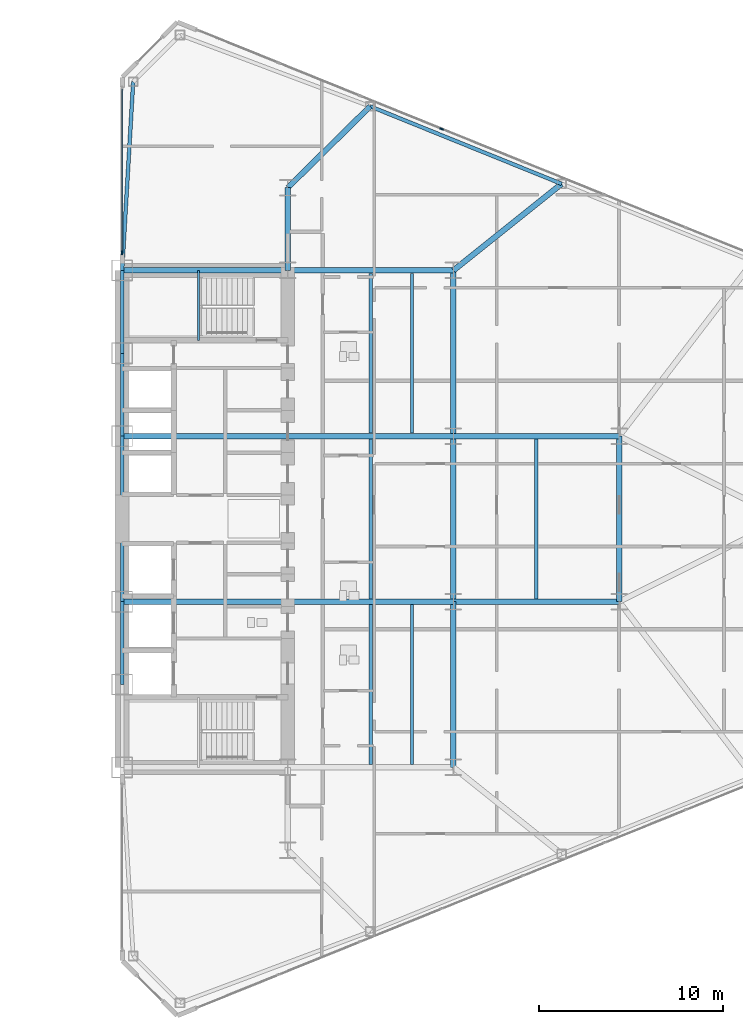
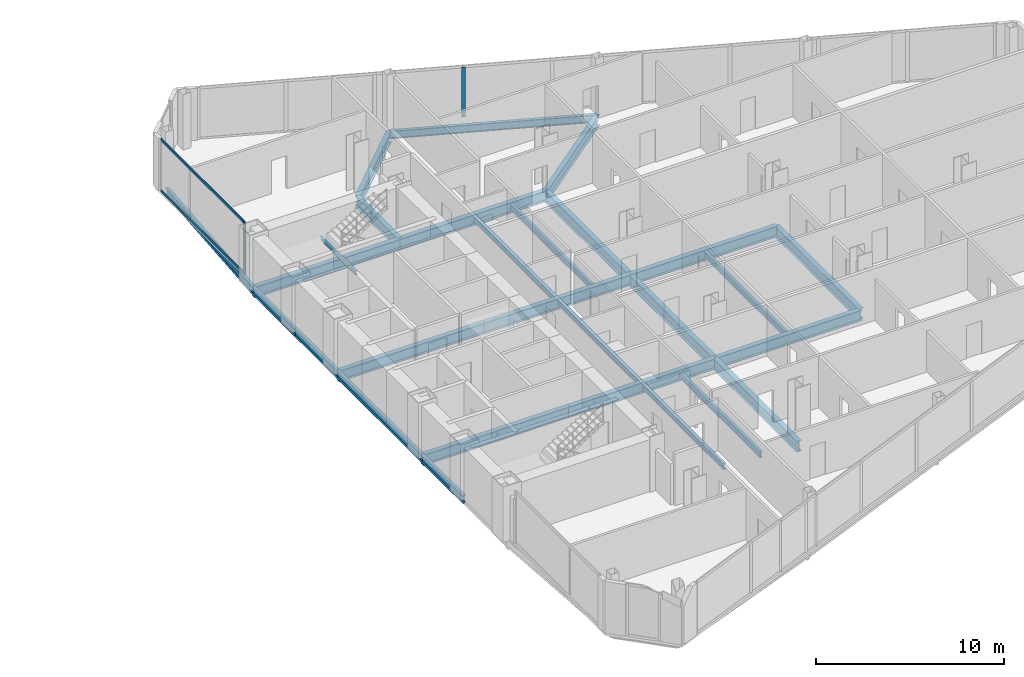
# One storey, part 11 of 25: 28 beams, 4 members, 2 elements without a shape of their own.
"""IFC4 building model written with IfcOpenShell, lengths in metres."""

from ifc_helpers import new_model, si_unit, direction, frame, origin, origin_2d, place, context, subcontext, project, spatial, rectangle, i_section, extrude, source, transform, mapped, material, layer, layer_set, material_profile, profile_set, type_object, type_shapes, element, aggregate, save


model = new_model("IFC4")

# Units and contexts
model_context = context("Model", 3, precision=1e-05, world=origin(), true_north=direction((0.0, 1.0)))
body_context = subcontext(model_context, "Body", "Model", "MODEL_VIEW")
ifc_project = project(units=[si_unit("LENGTHUNIT", "METRE"), si_unit("AREAUNIT", "SQUARE_METRE"), si_unit("VOLUMEUNIT", "CUBIC_METRE"), si_unit("PLANEANGLEUNIT", "RADIAN"), si_unit("MASSUNIT", "GRAM", prefix="KILO")], contexts=[model_context])

# Site, building, storey
site_placement = place(None, origin())
site = spatial("IfcSite", under=ifc_project, at=site_placement, CompositionType="ELEMENT")
building_placement = place(site_placement, origin())
building = spatial("IfcBuilding", under=site, at=building_placement, Name="Seokmaru Belvedere", CompositionType="ELEMENT")
storey_placement = place(building_placement, frame((0.0, 0.0, 33.300048828125)))
storey = spatial("IfcBuildingStorey", under=building, at=storey_placement, Name="L08", CompositionType="ELEMENT", Elevation=33.300048828125)

# Beams
ifc_material_1 = material(Name="Steel SM355 (355 MPa)", Category="steel")
ifc_material_profile_1 = material_profile(ifc_material_1, i_section(OverallWidth=0.199951171875, OverallDepth=0.5, WebThickness=0.010009765625, FlangeThickness=0.01611328125, at=origin_2d()), Name="H-500x200x10x16")
ifc_profile_set_1 = profile_set([ifc_material_profile_1], Name="Steel SM355 (355 MPa)")
beam_type_1 = type_object("IfcBeamType", Name="Perimeter Spandrel Beam H-500", PredefinedType="SPANDREL", material=ifc_profile_set_1)
shared_shape_1 = source(origin(), body_context, "Body", "SweptSolid", [
    extrude(i_section(OverallWidth=0.199951171875, OverallDepth=0.5, WebThickness=0.010009765625, FlangeThickness=0.01611328125, at=origin_2d()), origin(), (0.0, 0.0, 1.0), 4.5),
])
for number, where, z_axis, x_axis, name in (
    (1, (27.5, -9.0, -0.469970703125), (0.0, 1.0, 0.0), (-1.0, 0.0, 0.0), "L08 E Portal Spine Spandrel 2"),
    (2, (27.5, 4.5, -0.469970703125), (0.0, 1.0, 0.0), (-1.0, 0.0, 0.0), "L08 E Portal Spine Spandrel 4"),
    (3, (27.5, 9.0, -0.469970703125), (0.0, 1.0, 0.0), (-1.0, 0.0, 0.0), "L08 E Portal Spine Spandrel 5"),
):
    element("IfcBeam", number, at=place(storey_placement, frame(where, z_axis=z_axis, x_axis=x_axis)), inside=storey, type_object=beam_type_1, Name=name, PredefinedType="SPANDREL", context=body_context, shape_type="MappedRepresentation", body=[
        mapped(shared_shape_1, transform((0.0, 0.0, 0.0), scale=1.0)),
    ])
shared_shape_2 = source(origin(), body_context, "Body", "SweptSolid", [
    extrude(i_section(OverallWidth=0.199951171875, OverallDepth=0.5, WebThickness=0.010009765625, FlangeThickness=0.01611328125, at=origin_2d()), origin(), (0.0, 0.0, 1.0), 9.0),
])
beam_1_placement = place(storey_placement, frame((27.5, -4.5, -0.469970703125), z_axis=(0.0, 1.0, 0.0), x_axis=(-1.0, 0.0, 0.0)))
element("IfcBeam", 4, at=beam_1_placement, inside=storey, type_object=beam_type_1, Name="L08 E Portal Spine Spandrel 3", PredefinedType="SPANDREL", context=body_context, shape_type="MappedRepresentation", body=[
    mapped(shared_shape_2, transform((0.0, 0.0, 0.0), scale=1.0)),
])
ifc_material_profile_2 = material_profile(ifc_material_1, i_section(OverallWidth=0.300048828125, OverallDepth=0.699951171875, WebThickness=0.012939453125, FlangeThickness=0.02392578125, at=origin_2d()), Name="H-700x300x13x24")
ifc_profile_set_2 = profile_set([ifc_material_profile_2], Name="Steel SM355 (355 MPa)")
beam_type_2 = type_object("IfcBeamType", Name="Primary Floor Girder H-700", PredefinedType="BEAM", material=ifc_profile_set_2)
shared_shape_3 = source(origin(), body_context, "Body", "SweptSolid", [
    extrude(i_section(OverallWidth=0.300048828125, OverallDepth=0.699951171875, WebThickness=0.012939453125, FlangeThickness=0.02392578125, at=origin_2d()), origin(), (0.0, 0.0, 1.0), 4.5),
])
beam_2_placement = place(storey_placement, frame((36.5, 13.5, -0.570068359375), z_axis=(0.0, 1.0, 0.0), x_axis=(-1.0, 0.0, 0.0)))
element("IfcBeam", 5, at=beam_2_placement, inside=storey, type_object=beam_type_2, Name="L08 E Core Shoulder Girder N", PredefinedType="BEAM", context=body_context, shape_type="MappedRepresentation", body=[
    mapped(shared_shape_3, transform((0.0, 0.0, 0.0), scale=1.0)),
])
shared_shape_4 = source(origin(), body_context, "Body", "SweptSolid", [
    extrude(i_section(OverallWidth=0.300048828125, OverallDepth=0.699951171875, WebThickness=0.012939453125, FlangeThickness=0.02392578125, at=origin_2d()), origin(), (0.0, 0.0, 1.0), 9.0),
])
for number, where, z_axis, x_axis, name in (
    (6, (45.5, -13.5, -0.570068359375), (0.0, 1.0, 0.0), (-1.0, 0.0, 0.0), "L08 E Interior Grid Girder 1"),
    (7, (45.5, -4.5, -0.570068359375), (0.0, 1.0, 0.0), (-1.0, 0.0, 0.0), "L08 E Interior Grid Girder 2"),
    (8, (45.5, 4.5, -0.570068359375), (0.0, 1.0, 0.0), (-1.0, 0.0, 0.0), "L08 E Interior Grid Girder 3"),
    (9, (27.5, -4.5, -0.570068359375), (1.0, 0.0, 0.0), (0.0, 1.0, 0.0), "L08 E Core Tie Girder 2"),
    (10, (36.5, -4.5, -0.570068359375), (1.0, 0.0, 0.0), (0.0, 1.0, 0.0), "L08 E Wing Primary Girder 2"),
    (11, (27.5, 4.5, -0.570068359375), (1.0, 0.0, 0.0), (0.0, 1.0, 0.0), "L08 E Core Tie Girder 3"),
    (12, (36.5, 4.5, -0.570068359375), (1.0, 0.0, 0.0), (0.0, 1.0, 0.0), "L08 E Wing Primary Girder 3"),
    (13, (27.5, 13.5, -0.570068359375), (1.0, 0.0, 0.0), (0.0, 1.0, 0.0), "L08 E Core Tie Girder 4"),
    (14, (36.5, 13.5, -0.570068359375), (1.0, 0.0, 0.0), (0.0, 1.0, 0.0), "L08 E Wing Primary Girder 4"),
    (15, (45.5, -4.5, -0.570068359375), (1.0, 0.0, 0.0), (0.0, 1.0, 0.0), "L08 E Outer Wing Girder 1"),
    (16, (45.5, 4.5, -0.570068359375), (1.0, 0.0, 0.0), (0.0, 1.0, 0.0), "L08 E Outer Wing Girder 2"),
    (17, (54.5, -4.5, -0.570068359375), (0.0, 1.0, 0.0), (-1.0, 0.0, 0.0), "L08 E Apex Frame Girder"),
):
    element("IfcBeam", number, at=place(storey_placement, frame(where, z_axis=z_axis, x_axis=x_axis)), inside=storey, type_object=beam_type_2, Name=name, PredefinedType="BEAM", context=body_context, shape_type="MappedRepresentation", body=[
        mapped(shared_shape_4, transform((0.0, 0.0, 0.0), scale=1.0)),
    ])
ifc_material_profile_3 = material_profile(ifc_material_1, i_section(OverallWidth=0.18505859375, OverallDepth=0.389892578125, WebThickness=0.008056640625, FlangeThickness=0.011962890625, at=origin_2d()), Name="H-390x185x8x12")
ifc_profile_set_3 = profile_set([ifc_material_profile_3], Name="Steel SM355 (355 MPa)")
beam_type_3 = type_object("IfcBeamType", Name="Secondary Floor Joist H-350", PredefinedType="JOIST", material=ifc_profile_set_3)
shared_shape_5 = source(origin(), body_context, "Body", "SweptSolid", [
    extrude(i_section(OverallWidth=0.18505859375, OverallDepth=0.389892578125, WebThickness=0.008056640625, FlangeThickness=0.011962890625, at=origin_2d()), origin(), (0.0, 0.0, 1.0), 8.68994140625),
])
type_shapes(beam_type_3, [shared_shape_5])
for number, where, z_axis, x_axis, name in (
    (18, (43.25, -13.344970703125, -0.4150390625), (0.0, 1.0, 0.0), (-1.0, 0.0, 0.0), "L08 E Wing Inner Secondary Joist 1"),
    (19, (43.25, 4.655029296875, -0.4150390625), (0.0, 1.0, 0.0), (-1.0, 0.0, 0.0), "L08 E Wing Inner Secondary Joist 2"),
    (20, (41.0, -13.344970703125, -0.4150390625), (0.0, 1.0, 0.0), (-1.0, 0.0, 0.0), "L08 E Secondary Floor Joist 1"),
    (21, (41.0, -4.344970703125, -0.4150390625), (0.0, 1.0, 0.0), (-1.0, 0.0, 0.0), "L08 E Secondary Floor Joist 2"),
    (22, (41.0, 4.655029296875, -0.4150390625), (0.0, 1.0, 0.0), (-1.0, 0.0, 0.0), "L08 E Secondary Floor Joist 3"),
    (23, (50.0, -4.344970703125, -0.4150390625), (0.0, 1.0, 0.0), (-1.0, 0.0, 0.0), "L08 E Outer Bay Secondary Joist"),
):
    element("IfcBeam", number, at=place(storey_placement, frame(where, z_axis=z_axis, x_axis=x_axis)), inside=storey, type_object=beam_type_3, Name=name, PredefinedType="JOIST", context=body_context, shape_type="MappedRepresentation", body=[
        mapped(shared_shape_5, transform((0.0, 0.0, 0.0), scale=1.0)),
    ])
shared_shape_6 = source(origin(), body_context, "Body", "SweptSolid", [
    extrude(i_section(OverallWidth=0.199951171875, OverallDepth=0.5, WebThickness=0.010009765625, FlangeThickness=0.01611328125, at=origin_2d()), origin(), (0.0, 0.0, 1.0), 11.220703125),
])
beam_3_placement = place(storey_placement, frame((40.977294921875, 22.4140625, -0.469970703125), z_axis=(0.926944290816, -0.375198989503, 0.0), x_axis=(0.375198989503, 0.926944290816, 0.0)))
element("IfcBeam", 24, at=beam_3_placement, inside=storey, type_object=beam_type_1, Name="L08 E Faceted Flank Spandrel N-2", PredefinedType="SPANDREL", context=body_context, shape_type="MappedRepresentation", body=[
    mapped(shared_shape_6, transform((0.0, 0.0, 0.0), scale=1.0)),
])
shared_shape_7 = source(origin(), body_context, "Body", "SweptSolid", [
    extrude(i_section(OverallWidth=0.199951171875, OverallDepth=0.5, WebThickness=0.010009765625, FlangeThickness=0.01611328125, at=origin_2d()), origin(), (0.0, 0.0, 1.0), 10.26904296875),
])
type_shapes(beam_type_1, [shared_shape_1, shared_shape_2, shared_shape_6, shared_shape_7])
beam_4_placement = place(storey_placement, frame((28.10009765625, 23.75146484375, -0.469970703125), z_axis=(-0.058437709399, -0.998291056817, 0.0), x_axis=(0.998291056817, -0.058437709399, 0.0)))
element("IfcBeam", 25, at=beam_4_placement, inside=storey, type_object=beam_type_1, Name="L08 E Shoulder Spine Spandrel N", PredefinedType="SPANDREL", context=body_context, shape_type="MappedRepresentation", body=[
    mapped(shared_shape_7, transform((0.0, 0.0, 0.0), scale=1.0)),
])
shared_shape_8 = source(origin(), body_context, "Body", "SweptSolid", [
    extrude(i_section(OverallWidth=0.300048828125, OverallDepth=0.699951171875, WebThickness=0.012939453125, FlangeThickness=0.02392578125, at=origin_2d()), origin(), (0.0, 0.0, 1.0), 6.287353515625),
])
beam_5_placement = place(storey_placement, frame((40.977294921875, 22.4140625, -0.570068359375), z_axis=(-0.712117485263, -0.702060315915, 0.0), x_axis=(0.702060315915, -0.712117485263, 0.0)))
element("IfcBeam", 26, at=beam_5_placement, inside=storey, type_object=beam_type_2, Name="L08 E Flank Radial Floor Girder N-1", PredefinedType="BEAM", context=body_context, shape_type="MappedRepresentation", body=[
    mapped(shared_shape_8, transform((0.0, 0.0, 0.0), scale=1.0)),
])
shared_shape_9 = source(origin(), body_context, "Body", "SweptSolid", [
    extrude(i_section(OverallWidth=0.300048828125, OverallDepth=0.699951171875, WebThickness=0.012939453125, FlangeThickness=0.02392578125, at=origin_2d()), origin(), (0.0, 0.0, 1.0), 7.52880859375),
])
type_shapes(beam_type_2, [shared_shape_3, shared_shape_4, shared_shape_8, shared_shape_9])
beam_6_placement = place(storey_placement, frame((51.378173828125, 18.2041015625, -0.570068359375), z_axis=(-0.780767560736, -0.624821587418, 0.0), x_axis=(0.624821587418, -0.780767560736, 0.0)))
element("IfcBeam", 27, at=beam_6_placement, inside=storey, type_object=beam_type_2, Name="L08 E Flank Radial Floor Girder N-2", PredefinedType="BEAM", context=body_context, shape_type="MappedRepresentation", body=[
    mapped(shared_shape_9, transform((0.0, 0.0, 0.0), scale=1.0)),
])

# Curtain wall, members
ifc_material_2 = material(Name="Bronze Triple Insulating Glass", Category="glass")
ifc_layer = layer(ifc_material_2, 0.2099609375)
ifc_layer_set = layer_set([ifc_layer], Name="Bronze Triple Insulating Glass")
curtain_wall_type = type_object("IfcCurtainWallType", Name="Low-Rise Faceted Crystal Curtain Wall System CW-2", PredefinedType="NOTDEFINED", material=ifc_layer_set)
curtain_wall_1_placement = place(storey_placement, origin())
curtain_wall_1 = element("IfcCurtainWall", 28, at=curtain_wall_1_placement, inside=storey, type_object=curtain_wall_type, Name="L08 Curtain Wall ESP_2", PredefinedType="NOTDEFINED")
ifc_material_3 = material(Name="Anodised Bronze Aluminium", Category="aluminium")
ifc_material_profile_4 = material_profile(ifc_material_3, rectangle(XDim=0.070068359375, YDim=0.1650390625, at=origin_2d()), Name="CW-T-70x165")
ifc_profile_set_4 = profile_set([ifc_material_profile_4], Name="Anodised Bronze Aluminium")
member_type_1 = type_object("IfcMemberType", Name="Bronze Unitised Transom 70x165", PredefinedType="USERDEFINED", material=ifc_profile_set_4)
shared_shape_10 = source(origin(), body_context, "Body", "SweptSolid", [
    extrude(rectangle(XDim=0.070068359375, YDim=0.1650390625, at=origin_2d()), origin(), (0.0, 0.0, 1.0), 8.85009765625),
])
type_shapes(member_type_1, [shared_shape_10])
member_1_placement = place(storey_placement, frame((27.5, 23.35498046875, 0.034912109375), z_axis=(0.0, -1.0, 0.0), x_axis=(1.0, 0.0, 0.0)))
member_1 = element("IfcMember", 29, at=member_1_placement, type_object=member_type_1, Name="CW:L08:ESP_2 Continuous Transom 1", ObjectType="TRANSOM", PredefinedType="USERDEFINED", context=body_context, shape_type="MappedRepresentation", body=[
    mapped(shared_shape_10, transform((0.0, 0.0, 0.0), scale=1.0)),
])
member_2_placement = place(storey_placement, frame((27.5, 23.35498046875, 3.344970703125), z_axis=(0.0, -1.0, 0.0), x_axis=(1.0, 0.0, 0.0)))
member_2 = element("IfcMember", 30, at=member_2_placement, type_object=member_type_1, Name="CW:L08:ESP_2 Continuous Transom 2", ObjectType="TRANSOM", PredefinedType="USERDEFINED", context=body_context, shape_type="MappedRepresentation", body=[
    mapped(shared_shape_10, transform((0.0, 0.0, 0.0), scale=1.0)),
])

# Curtain wall, member
curtain_wall_2_placement = place(storey_placement, origin())
curtain_wall_2 = element("IfcCurtainWall", 31, at=curtain_wall_2_placement, inside=storey, type_object=curtain_wall_type, Name="L08 Curtain Wall EF3", PredefinedType="NOTDEFINED")
ifc_material_profile_5 = material_profile(ifc_material_3, rectangle(XDim=0.074951171875, YDim=0.2099609375, at=origin_2d()), Name="CW-M-75x210")
ifc_profile_set_5 = profile_set([ifc_material_profile_5], Name="Anodised Bronze Aluminium")
member_type_2 = type_object("IfcMemberType", Name="Bronze Unitised Mullion 75x210", PredefinedType="MULLION", material=ifc_profile_set_5)
shared_shape_11 = source(origin(), body_context, "Body", "SweptSolid", [
    extrude(rectangle(XDim=0.074951171875, YDim=0.2099609375, at=origin_2d()), origin(), (0.0, 0.0, 1.0), 3.239990234375),
])
member_3_placement = place(storey_placement, frame((44.855224609375, 21.189453125, 0.070068359375), z_axis=(0.0, 0.0, 1.0), x_axis=(-0.375192321888, -0.926946989637, 0.0)))
member_3 = element("IfcMember", 32, at=member_3_placement, type_object=member_type_2, Name="CW:L08:EF3 Mullion 7", PredefinedType="MULLION", context=body_context, shape_type="MappedRepresentation", body=[
    mapped(shared_shape_11, transform((0.0, 0.0, 0.0), scale=1.0)),
])
aggregate(curtain_wall_2, [member_3])

# Member
shared_shape_12 = source(origin(), body_context, "Body", "SweptSolid", [
    extrude(rectangle(XDim=0.074951171875, YDim=0.2099609375, at=origin_2d()), origin(), (0.0, 0.0, 1.0), 3.3798828125),
])
type_shapes(member_type_2, [shared_shape_11, shared_shape_12])
member_4_placement = place(storey_placement, frame((27.5, 14.467529296875, 0.0), z_axis=(0.0, 0.0, 1.0), x_axis=(1.0, 0.0, 0.0)))
member_4 = element("IfcMember", 33, at=member_4_placement, type_object=member_type_2, Name="CW:L08:ESP_2 Mullion 2", PredefinedType="MULLION", context=body_context, shape_type="MappedRepresentation", body=[
    mapped(shared_shape_12, transform((0.0, 0.0, 0.0), scale=1.0)),
])

aggregate(curtain_wall_1, [member_4, member_1, member_2])

# Beam
ifc_material_profile_6 = material_profile(ifc_material_1, i_section(OverallWidth=0.125, OverallDepth=0.25, WebThickness=0.006103515625, FlangeThickness=0.009033203125, at=origin_2d()), Name="H-250x125x6x9")
ifc_profile_set_6 = profile_set([ifc_material_profile_6], Name="Steel SM355 (355 MPa)")
beam_type_4 = type_object("IfcBeamType", Name="Stair Mid-Landing Support Beam H-250", PredefinedType="JOIST", material=ifc_profile_set_6)
shared_shape_13 = source(origin(), body_context, "Body", "SweptSolid", [
    extrude(i_section(OverallWidth=0.125, OverallDepth=0.25, WebThickness=0.006103515625, FlangeThickness=0.009033203125, at=origin_2d()), origin(), (0.0, 0.0, 1.0), 3.800048828125),
])
type_shapes(beam_type_4, [shared_shape_13])
beam_7_placement = place(storey_placement, frame((31.64990234375, 9.699951171875, 1.474853515625), z_axis=(0.0, 1.0, 0.0), x_axis=(-1.0, 0.0, 0.0)))
element("IfcBeam", 34, at=beam_7_placement, inside=storey, type_object=beam_type_4, Name="L08 Stair ST-E2 Mid-Landing Support Beam 1", PredefinedType="JOIST", context=body_context, shape_type="MappedRepresentation", body=[
    mapped(shared_shape_13, transform((0.0, 0.0, 0.0), scale=1.0)),
])

save(model, "model.ifc")
